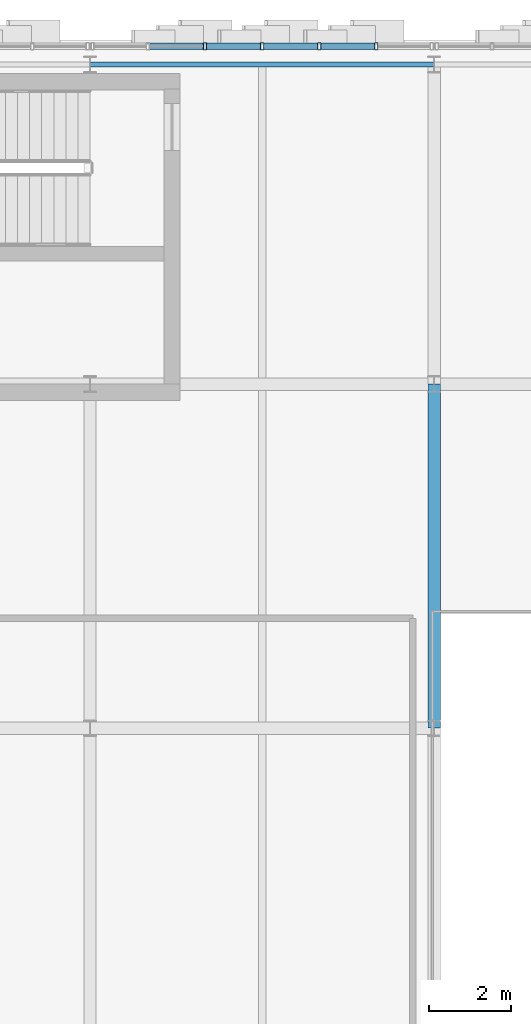
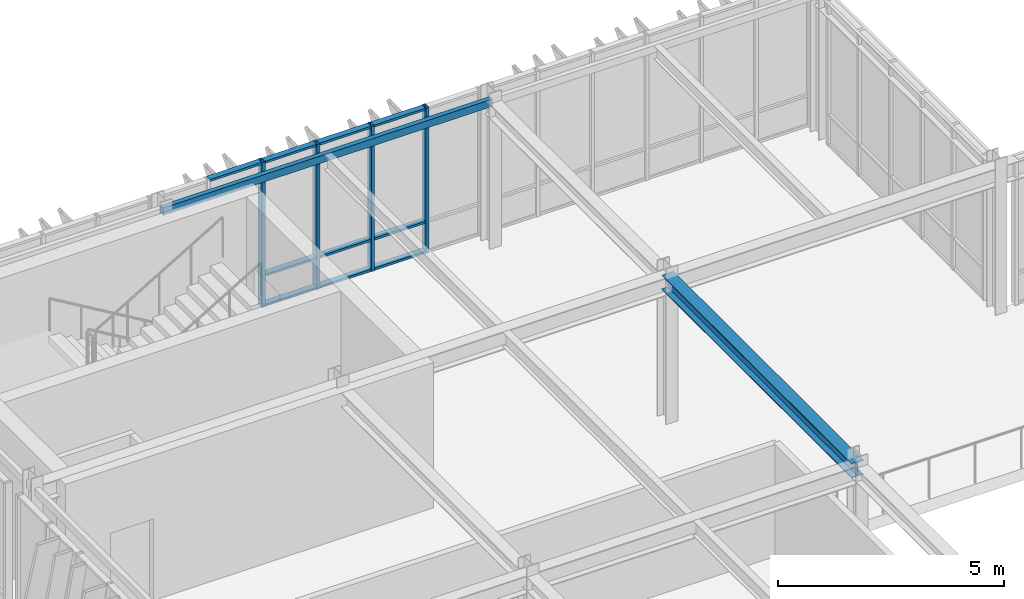
# One storey, part 45 of 127: 14 members, 2 beams, 1 element without a shape of its own.
"""IFC4 building model written with IfcOpenShell, lengths in metres."""

import ifcopenshell
import ifcopenshell.guid

model = None  # the IFC model being written
_history = None  # IfcOwnerHistory: only IFC2X3 demands one
_inside = {}  # id of a spatial element -> (the spatial element, [elements in it])
_under = {}  # id of a project, library or spatial element -> (it, [spatial elements below it])
_declared = {}  # id of a project -> (the project, [libraries it declares])
_typed = {}  # id of a type object -> (the type object, [elements of that type])
_made_of = {}  # id of a material, layer set ... -> (it, [elements and type objects made of it])


def new_model(schema):
    """Start an empty IFC model of exactly this schema.

    Asked for "IFC4X3", IfcOpenShell would pick the latest addendum, in which some entities
    have other attributes; the version numbers below select the first issue.
    IFC2X3 requires an IfcOwnerHistory on every rooted entity: one is made here for all.
    """
    global model, _history
    if schema == "IFC4X3":
        model = ifcopenshell.file(schema_version=(4, 3, 0, 0))
    else:
        model = ifcopenshell.file(schema=schema)
    _inside.clear()
    _under.clear()
    _declared.clear()
    _typed.clear()
    _made_of.clear()
    _history = None
    if model.schema == "IFC2X3":
        org = make("IfcOrganization", Name="unknown")
        user = make(
            "IfcPersonAndOrganization",
            ThePerson=make("IfcPerson", FamilyName="unknown"),
            TheOrganization=org,
        )
        app = make(
            "IfcApplication",
            ApplicationDeveloper=org,
            Version="unknown",
            ApplicationFullName="unknown",
            ApplicationIdentifier="unknown",
        )
        _history = make(
            "IfcOwnerHistory",
            OwningUser=user,
            OwningApplication=app,
            ChangeAction="ADDED",
            CreationDate=0,
        )
    return model


def make(cls, **values):
    """One entity of the class cls with the attributes given. An attribute that is None is left unset."""
    return model.create_entity(
        cls, **{name: value for name, value in values.items() if value is not None}
    )


def rooted(cls, **values):
    """An entity with a GlobalId (a new one), such as an element, a storey or a relation."""
    return make(cls, GlobalId=ifcopenshell.guid.new(), OwnerHistory=_history, **values)


def si_unit(unit_type, name, prefix=None):
    """IfcSIUnit, for example si_unit("LENGTHUNIT", "METRE", prefix="MILLI")."""
    return make("IfcSIUnit", UnitType=unit_type, Prefix=prefix, Name=name)


def assignment(units):
    """IfcUnitAssignment: the units of a project."""
    return None if units is None else make("IfcUnitAssignment", Units=units)


def point(xyz):
    """IfcCartesianPoint."""
    return None if xyz is None else make("IfcCartesianPoint", Coordinates=xyz)


def direction(xyz):
    """IfcDirection."""
    return None if xyz is None else make("IfcDirection", DirectionRatios=xyz)


def frame(location, z_axis=None, x_axis=None):
    """IfcAxis2Placement3D, a coordinate frame: its origin and axes. An axis left out is left unset."""
    return make(
        "IfcAxis2Placement3D",
        Location=point(location),
        Axis=direction(z_axis),
        RefDirection=direction(x_axis),
    )


def frame_2d(location, x_axis=None):
    """IfcAxis2Placement2D, a coordinate frame in the plane: its origin and x axis."""
    return make(
        "IfcAxis2Placement2D", Location=point(location), RefDirection=direction(x_axis)
    )


def origin():
    """The frame at (0, 0, 0) with its axes left unset."""
    return frame((0.0, 0.0, 0.0))


def origin_2d():
    """The frame at (0, 0) in the plane with its x axis left unset."""
    return frame_2d((0.0, 0.0))


def place(relative_to, where):
    """IfcLocalPlacement: puts the frame where relative to a parent placement (None: the world)."""
    return make(
        "IfcLocalPlacement", PlacementRelTo=relative_to, RelativePlacement=where
    )


def context(
    kind, dimensions, precision=None, world=None, true_north=None, identifier=None
):
    """IfcGeometricRepresentationContext, for example the 3D "Model" context."""
    return make(
        "IfcGeometricRepresentationContext",
        ContextIdentifier=identifier,
        ContextType=kind,
        CoordinateSpaceDimension=dimensions,
        Precision=precision,
        WorldCoordinateSystem=world,
        TrueNorth=true_north,
    )


def subcontext(parent, identifier, kind, view, scale=None):
    """IfcGeometricRepresentationSubContext, for example "Body" below "Model"."""
    return make(
        "IfcGeometricRepresentationSubContext",
        ContextIdentifier=identifier,
        ContextType=kind,
        ParentContext=parent,
        TargetScale=scale,
        TargetView=view,
    )


def project(units=None, contexts=None):
    """IfcProject with its units and contexts."""
    return rooted(
        "IfcProject",
        Name="project",
        RepresentationContexts=contexts,
        UnitsInContext=assignment(units),
    )


def spatial(cls, under=None, at=None, **own):
    """A site, building, storey or space (cls), placed at a placement, below another one or the project."""
    s = rooted(cls, ObjectPlacement=at, **own)
    if under is not None:
        _under.setdefault(under.id(), (under, []))[1].append(s)
    return s


def profile(cls, at=None, kind="AREA", **sizes):
    """A parametric profile (cls). Its sizes go by their IFC names, for example OverallWidth=200.0."""
    return make(cls, ProfileType=kind, Position=at, **sizes)


def hollow_rectangle(**sizes):
    """IfcRectangleHollowProfileDef."""
    return profile("IfcRectangleHollowProfileDef", **sizes)


def i_section(**sizes):
    """IfcIShapeProfileDef."""
    return profile("IfcIShapeProfileDef", **sizes)


def extrude(swept, where, along, depth):
    """IfcExtrudedAreaSolid: the profile swept, set in the frame where, extruded along a direction by depth."""
    return make(
        "IfcExtrudedAreaSolid",
        SweptArea=swept,
        Position=where,
        ExtrudedDirection=direction(along),
        Depth=depth,
    )


def shape(context_of_items, identifier, shape_type, items):
    """IfcShapeRepresentation: the items that make up one representation, for example the "Body"."""
    return make(
        "IfcShapeRepresentation",
        ContextOfItems=context_of_items,
        RepresentationIdentifier=identifier,
        RepresentationType=shape_type,
        Items=items,
    )


def material(Name=None, Category=None):
    """IfcMaterial."""
    return make("IfcMaterial", Name=Name, Category=Category)


def layer(
    of_material, thickness, ventilated=None, Name=None, Category=None, Priority=None
):
    """IfcMaterialLayer: one layer of a wall or slab, of a material (None: an air gap)."""
    return make(
        "IfcMaterialLayer",
        Material=of_material,
        LayerThickness=thickness,
        IsVentilated=ventilated,
        Name=Name,
        Category=Category,
        Priority=Priority,
    )


def layer_set(layers, Name=None):
    """IfcMaterialLayerSet."""
    return make("IfcMaterialLayerSet", MaterialLayers=layers, LayerSetName=Name)


def material_profile(
    of_material, cross_section, Name=None, Category=None, Priority=None
):
    """IfcMaterialProfile: a cross section and its material."""
    return make(
        "IfcMaterialProfile",
        Name=Name,
        Material=of_material,
        Profile=cross_section,
        Priority=Priority,
        Category=Category,
    )


def profile_set(profiles, Name=None, composite=None):
    """IfcMaterialProfileSet."""
    return make(
        "IfcMaterialProfileSet",
        Name=Name,
        MaterialProfiles=profiles,
        CompositeProfile=composite,
    )


def made_of(thing, what):
    """Note that an element or type object is made of a material, layer set ...; save() writes the relation."""
    if what is not None:
        _made_of.setdefault(what.id(), (what, []))[1].append(thing)
    return thing


def type_object(cls, material=None, **own):
    """A type object (cls), such as IfcWallType, which elements share."""
    return made_of(rooted(cls, **own), material)


def element(
    cls,
    number,
    at=None,
    inside=None,
    cuts=None,
    type_object=None,
    material=None,
    context=None,
    identifier="Body",
    shape_type=None,
    held_by="IfcProductDefinitionShape",
    body=None,
    shapes=None,
    **own,
):
    """One element of the class cls, such as IfcWall. Its Tag is "e" and its number.

    at: its placement. inside: the storey or other place that contains it. cuts: it is an
    opening in that element (IfcRelVoidsElement). A single representation is given by context,
    identifier, shape_type and body (its items); several are given by shapes. held_by: the class
    of the entity that holds the representations. save() writes the other relations.
    """
    e = rooted(cls, Tag="e%d" % number, ObjectPlacement=at, **own)
    if body is not None:
        shapes = [shape(context, identifier, shape_type, body)]
    if shapes is not None:
        e.Representation = make(held_by, Representations=shapes)
    if inside is not None:
        _inside.setdefault(inside.id(), (inside, []))[1].append(e)
    if cuts is not None:
        rooted(
            "IfcRelVoidsElement", RelatingBuildingElement=cuts, RelatedOpeningElement=e
        )
    if type_object is not None:
        _typed.setdefault(type_object.id(), (type_object, []))[1].append(e)
    return made_of(e, material)


def aggregate(whole, parts):
    """IfcRelAggregates: a whole, such as a stair, and the parts it consists of."""
    return rooted("IfcRelAggregates", RelatingObject=whole, RelatedObjects=parts)


def save(model, path):
    """Write the relations noted so far, then the file.

    IfcRelAggregates (storeys below a building ...), IfcRelContainedInSpatialStructure (elements
    in a storey), IfcRelDefinesByType, IfcRelAssociatesMaterial and IfcRelDeclares: one each for
    every whole, place, type object, material and project.
    """
    for whole, parts in _under.values():
        aggregate(whole, parts)
    for where, things in _inside.values():
        rooted(
            "IfcRelContainedInSpatialStructure",
            RelatedElements=things,
            RelatingStructure=where,
        )
    for kind, things in _typed.values():
        rooted("IfcRelDefinesByType", RelatedObjects=things, RelatingType=kind)
    for what, things in _made_of.values():
        rooted("IfcRelAssociatesMaterial", RelatedObjects=things, RelatingMaterial=what)
    for by, libraries in _declared.values():
        rooted("IfcRelDeclares", RelatingContext=by, RelatedDefinitions=libraries)
    model.write(path)


model = new_model("IFC4")

# Units and contexts
model_context = context("Model", 3, precision=1e-05, world=origin(), true_north=direction((0.0, 1.0)))
body_context = subcontext(model_context, "Body", "Model", "MODEL_VIEW")
ifc_project = project(units=[si_unit("LENGTHUNIT", "METRE"), si_unit("AREAUNIT", "SQUARE_METRE"), si_unit("VOLUMEUNIT", "CUBIC_METRE"), si_unit("PLANEANGLEUNIT", "RADIAN"), si_unit("MASSUNIT", "GRAM", prefix="KILO")], contexts=[model_context])

# Site, building, storey
site_placement = place(None, origin())
site = spatial("IfcSite", under=ifc_project, at=site_placement, CompositionType="ELEMENT")
building_placement = place(site_placement, origin())
building = spatial("IfcBuilding", under=site, at=building_placement, Name="Zayran Congress Hotel", CompositionType="ELEMENT")
storey_placement = place(building_placement, frame((0.0, 0.0, 10.800048828125)))
storey = spatial("IfcBuildingStorey", under=building, at=storey_placement, Name="L02", CompositionType="ELEMENT", Elevation=10.800048828125)

# Beams
ifc_material_1 = material(Name="Steel S355", Category="steel")
ifc_material_profile_1 = material_profile(ifc_material_1, i_section(OverallWidth=0.300048828125, OverallDepth=0.389892578125, WebThickness=0.010986328125, FlangeThickness=0.01904296875, at=origin_2d()), Name="HEA 400")
ifc_profile_set_1 = profile_set([ifc_material_profile_1], Name="Steel S355")
beam_type_1 = type_object("IfcBeamType", Name="TP-BM-06", PredefinedType="BEAM", material=ifc_profile_set_1)
beam_1_placement = place(storey_placement, frame((25.199951171875, 101.199951171875, 3.724853515625), z_axis=(0.0, 1.0, 0.0), x_axis=(-1.0, 0.0, 0.0)))
element("IfcBeam", 1, at=beam_1_placement, inside=storey, type_object=beam_type_1, Name="BM-V1-L02-0724", PredefinedType="BEAM", context=body_context, shape_type="SweptSolid", body=[
    extrude(i_section(OverallWidth=0.300048828125, OverallDepth=0.389892578125, WebThickness=0.010986328125, FlangeThickness=0.01904296875, at=origin_2d()), origin(), (0.0, 0.0, 1.0), 8.400146484375),
])
ifc_material_profile_2 = material_profile(ifc_material_1, hollow_rectangle(XDim=0.1201171875, YDim=0.199951171875, WallThickness=0.008056640625, at=origin_2d()), Name="RHS 200x120x8")
ifc_profile_set_2 = profile_set([ifc_material_profile_2], Name="Steel S355")
beam_type_2 = type_object("IfcBeamType", Name="TP-SP-02", PredefinedType="SPANDREL", material=ifc_profile_set_2)
beam_2_placement = place(storey_placement, frame((16.800048828125, 117.39990234375, 3.820068359375), z_axis=(1.0, 0.0, 0.0), x_axis=(0.0, 1.0, 0.0)))
element("IfcBeam", 2, at=beam_2_placement, inside=storey, type_object=beam_type_2, Name="BM-V1-L02-0701", PredefinedType="SPANDREL", context=body_context, shape_type="SweptSolid", body=[
    extrude(hollow_rectangle(XDim=0.1201171875, YDim=0.199951171875, WallThickness=0.008056640625, at=origin_2d()), origin(), (0.0, 0.0, 1.0), 8.39990234375),
])

# Curtain wall, members
ifc_material_2 = material(Name="Anodised aluminium and low-E insulated glass", Category="aluminium")
ifc_layer = layer(ifc_material_2, 0.179931640625)
ifc_layer_set = layer_set([ifc_layer], Name="Anodised aluminium and low-E insulated glass")
curtain_wall_type = type_object("IfcCurtainWallType", Name="CW-V1N-L02-CW-22-8360-3920", PredefinedType="USERDEFINED", material=ifc_layer_set)
curtain_wall_placement = place(storey_placement, origin())
curtain_wall = element("IfcCurtainWall", 3, at=curtain_wall_placement, inside=storey, type_object=curtain_wall_type, Name="CW-V1N-L02-1", ObjectType="CURTAIN WALL", PredefinedType="USERDEFINED")
ifc_material_3 = material(Name="Anodised aluminium framing", Category="aluminium")
ifc_material_profile_3 = material_profile(ifc_material_3, hollow_rectangle(XDim=0.080078125, YDim=0.179931640625, WallThickness=0.0048828125, at=origin_2d()), Name="RHS 180x80x5")
ifc_profile_set_3 = profile_set([ifc_material_profile_3], Name="Anodised aluminium framing")
member_type_1 = type_object("IfcMemberType", Name="TP-CWM-01", PredefinedType="MULLION", material=ifc_profile_set_3)
member_1_placement = place(storey_placement, frame((23.78662109375, 117.85009765625, 0.0), z_axis=(0.0, 0.0, 1.0), x_axis=(1.0, 0.0, 0.0)))
member_1 = element("IfcMember", 4, at=member_1_placement, type_object=member_type_1, Name="CW-V1N-L02-1-M01", PredefinedType="MULLION", context=body_context, shape_type="SweptSolid", body=[
    extrude(hollow_rectangle(XDim=0.080078125, YDim=0.179931640625, WallThickness=0.0048828125, at=origin_2d()), origin(), (0.0, 0.0, 1.0), 3.919921875),
])
member_2_placement = place(storey_placement, frame((22.393310546875, 117.85009765625, 0.0), z_axis=(0.0, 0.0, 1.0), x_axis=(1.0, 0.0, 0.0)))
member_2 = element("IfcMember", 5, at=member_2_placement, type_object=member_type_1, Name="CW-V1N-L02-1-M02", PredefinedType="MULLION", context=body_context, shape_type="SweptSolid", body=[
    extrude(hollow_rectangle(XDim=0.080078125, YDim=0.179931640625, WallThickness=0.0048828125, at=origin_2d()), origin(), (0.0, 0.0, 1.0), 3.919921875),
])
member_3_placement = place(storey_placement, frame((21.0, 117.85009765625, 0.0), z_axis=(0.0, 0.0, 1.0), x_axis=(1.0, 0.0, 0.0)))
member_3 = element("IfcMember", 6, at=member_3_placement, type_object=member_type_1, Name="CW-V1N-L02-1-M03", PredefinedType="MULLION", context=body_context, shape_type="SweptSolid", body=[
    extrude(hollow_rectangle(XDim=0.080078125, YDim=0.179931640625, WallThickness=0.0048828125, at=origin_2d()), origin(), (0.0, 0.0, 1.0), 3.919921875),
])
member_4_placement = place(storey_placement, frame((19.606689453125, 117.85009765625, 0.0), z_axis=(0.0, 0.0, 1.0), x_axis=(1.0, 0.0, 0.0)))
member_4 = element("IfcMember", 7, at=member_4_placement, type_object=member_type_1, Name="CW-V1N-L02-1-M04", PredefinedType="MULLION", context=body_context, shape_type="SweptSolid", body=[
    extrude(hollow_rectangle(XDim=0.080078125, YDim=0.179931640625, WallThickness=0.0048828125, at=origin_2d()), origin(), (0.0, 0.0, 1.0), 3.919921875),
])
ifc_material_profile_4 = material_profile(ifc_material_3, hollow_rectangle(XDim=0.06005859375, YDim=0.14990234375, WallThickness=0.00390625, at=origin_2d()), Name="RHS 150x60x4")
ifc_profile_set_4 = profile_set([ifc_material_profile_4], Name="Anodised aluminium framing")
member_type_2 = type_object("IfcMemberType", Name="TP-CWT-01", PredefinedType="USERDEFINED", material=ifc_profile_set_4)
member_5_placement = place(storey_placement, frame((23.74658203125, 117.85009765625, 0.030029296875), z_axis=(-1.0, 0.0, 0.0), x_axis=(0.0, 0.0, 1.0)))
member_5 = element("IfcMember", 8, at=member_5_placement, type_object=member_type_2, Name="CW-V1N-L02-1-T01-0", ObjectType="TRANSOM", PredefinedType="USERDEFINED", context=body_context, shape_type="SweptSolid", body=[
    extrude(hollow_rectangle(XDim=0.06005859375, YDim=0.14990234375, WallThickness=0.00390625, at=origin_2d()), origin(), (0.0, 0.0, 1.0), 1.313232421875),
])
member_6_placement = place(storey_placement, frame((23.74658203125, 117.85009765625, 0.83984375), z_axis=(-1.0, 0.0, 0.0), x_axis=(0.0, 0.0, 1.0)))
member_6 = element("IfcMember", 9, at=member_6_placement, type_object=member_type_2, Name="CW-V1N-L02-1-T01-1", ObjectType="TRANSOM", PredefinedType="USERDEFINED", context=body_context, shape_type="SweptSolid", body=[
    extrude(hollow_rectangle(XDim=0.06005859375, YDim=0.14990234375, WallThickness=0.00390625, at=origin_2d()), origin(), (0.0, 0.0, 1.0), 1.313232421875),
])
member_7_placement = place(storey_placement, frame((23.74658203125, 117.85009765625, 3.889892578125), z_axis=(-1.0, 0.0, 0.0), x_axis=(0.0, 0.0, 1.0)))
member_7 = element("IfcMember", 10, at=member_7_placement, type_object=member_type_2, Name="CW-V1N-L02-1-T01-2", ObjectType="TRANSOM", PredefinedType="USERDEFINED", context=body_context, shape_type="SweptSolid", body=[
    extrude(hollow_rectangle(XDim=0.06005859375, YDim=0.14990234375, WallThickness=0.00390625, at=origin_2d()), origin(), (0.0, 0.0, 1.0), 1.313232421875),
])
member_8_placement = place(storey_placement, frame((22.353271484375, 117.85009765625, 0.030029296875), z_axis=(-1.0, 0.0, 0.0), x_axis=(0.0, 0.0, 1.0)))
member_8 = element("IfcMember", 11, at=member_8_placement, type_object=member_type_2, Name="CW-V1N-L02-1-T02-0", ObjectType="TRANSOM", PredefinedType="USERDEFINED", context=body_context, shape_type="SweptSolid", body=[
    extrude(hollow_rectangle(XDim=0.06005859375, YDim=0.14990234375, WallThickness=0.00390625, at=origin_2d()), origin(), (0.0, 0.0, 1.0), 1.313232421875),
])
member_9_placement = place(storey_placement, frame((22.353271484375, 117.85009765625, 0.83984375), z_axis=(-1.0, 0.0, 0.0), x_axis=(0.0, 0.0, 1.0)))
member_9 = element("IfcMember", 12, at=member_9_placement, type_object=member_type_2, Name="CW-V1N-L02-1-T02-1", ObjectType="TRANSOM", PredefinedType="USERDEFINED", context=body_context, shape_type="SweptSolid", body=[
    extrude(hollow_rectangle(XDim=0.06005859375, YDim=0.14990234375, WallThickness=0.00390625, at=origin_2d()), origin(), (0.0, 0.0, 1.0), 1.313232421875),
])
member_10_placement = place(storey_placement, frame((22.353271484375, 117.85009765625, 3.889892578125), z_axis=(-1.0, 0.0, 0.0), x_axis=(0.0, 0.0, 1.0)))
member_10 = element("IfcMember", 13, at=member_10_placement, type_object=member_type_2, Name="CW-V1N-L02-1-T02-2", ObjectType="TRANSOM", PredefinedType="USERDEFINED", context=body_context, shape_type="SweptSolid", body=[
    extrude(hollow_rectangle(XDim=0.06005859375, YDim=0.14990234375, WallThickness=0.00390625, at=origin_2d()), origin(), (0.0, 0.0, 1.0), 1.313232421875),
])
member_11_placement = place(storey_placement, frame((20.9599609375, 117.85009765625, 0.030029296875), z_axis=(-1.0, 0.0, 0.0), x_axis=(0.0, 0.0, 1.0)))
member_11 = element("IfcMember", 14, at=member_11_placement, type_object=member_type_2, Name="CW-V1N-L02-1-T03-0", ObjectType="TRANSOM", PredefinedType="USERDEFINED", context=body_context, shape_type="SweptSolid", body=[
    extrude(hollow_rectangle(XDim=0.06005859375, YDim=0.14990234375, WallThickness=0.00390625, at=origin_2d()), origin(), (0.0, 0.0, 1.0), 1.313232421875),
])
member_12_placement = place(storey_placement, frame((20.9599609375, 117.85009765625, 0.83984375), z_axis=(-1.0, 0.0, 0.0), x_axis=(0.0, 0.0, 1.0)))
member_12 = element("IfcMember", 15, at=member_12_placement, type_object=member_type_2, Name="CW-V1N-L02-1-T03-1", ObjectType="TRANSOM", PredefinedType="USERDEFINED", context=body_context, shape_type="SweptSolid", body=[
    extrude(hollow_rectangle(XDim=0.06005859375, YDim=0.14990234375, WallThickness=0.00390625, at=origin_2d()), origin(), (0.0, 0.0, 1.0), 1.313232421875),
])
member_13_placement = place(storey_placement, frame((20.9599609375, 117.85009765625, 3.889892578125), z_axis=(-1.0, 0.0, 0.0), x_axis=(0.0, 0.0, 1.0)))
member_13 = element("IfcMember", 16, at=member_13_placement, type_object=member_type_2, Name="CW-V1N-L02-1-T03-2", ObjectType="TRANSOM", PredefinedType="USERDEFINED", context=body_context, shape_type="SweptSolid", body=[
    extrude(hollow_rectangle(XDim=0.06005859375, YDim=0.14990234375, WallThickness=0.00390625, at=origin_2d()), origin(), (0.0, 0.0, 1.0), 1.313232421875),
])
member_14_placement = place(storey_placement, frame((19.566650390625, 117.85009765625, 3.889892578125), z_axis=(-1.0, 0.0, 0.0), x_axis=(0.0, 0.0, 1.0)))
member_14 = element("IfcMember", 17, at=member_14_placement, type_object=member_type_2, Name="CW-V1N-L02-1-T04-2", ObjectType="TRANSOM", PredefinedType="USERDEFINED", context=body_context, shape_type="SweptSolid", body=[
    extrude(hollow_rectangle(XDim=0.06005859375, YDim=0.14990234375, WallThickness=0.00390625, at=origin_2d()), origin(), (0.0, 0.0, 1.0), 1.313232421875),
])
aggregate(curtain_wall, [member_1, member_2, member_3, member_4, member_5, member_6, member_7, member_8, member_9, member_10, member_11, member_12, member_13, member_14])

save(model, "model.ifc")
